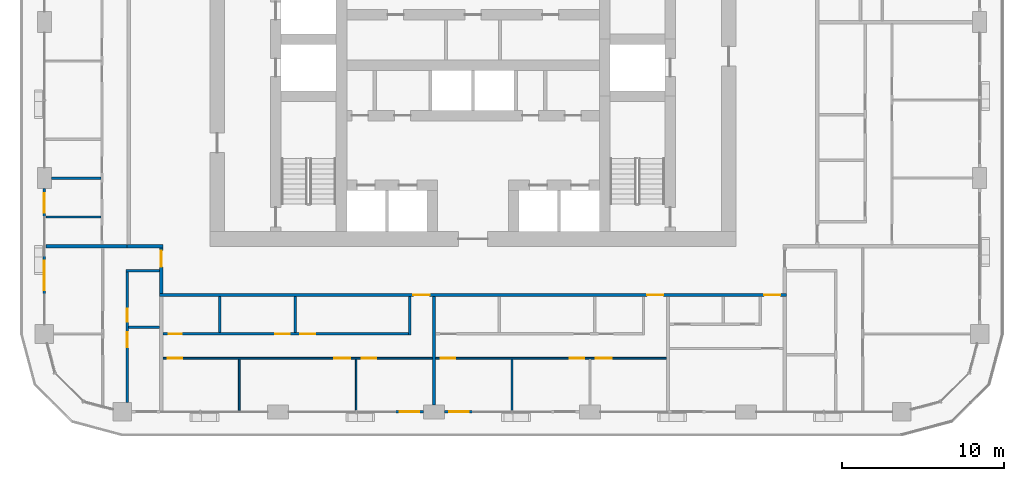
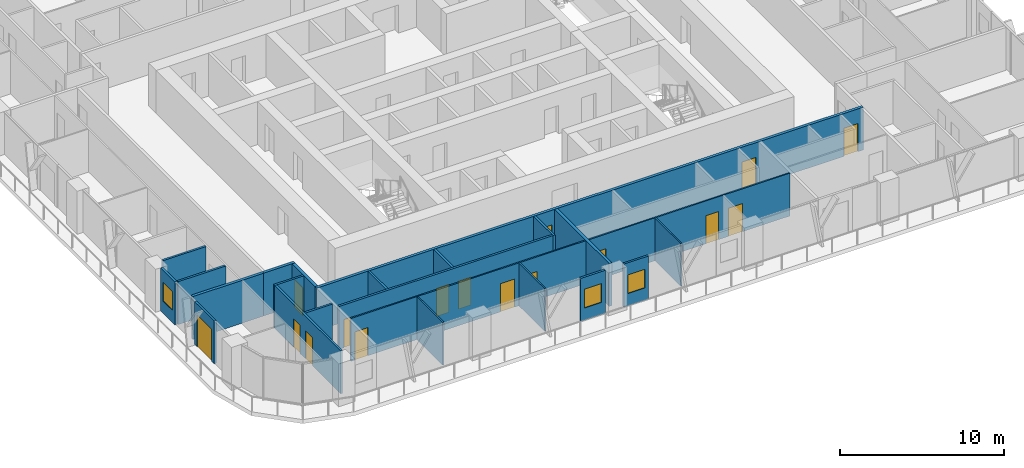
# One storey, part 9 of 21: 23 walls, 16 doors, 3 windows, 19 openings.
"""IFC4 building model written with IfcOpenShell, lengths in metres."""

from ifc_helpers import new_model, si_unit, direction, frame, frame_2d, origin, place, context, subcontext, project, spatial, rectangle, extrude, material, layer, layer_set, type_object, element, fill, save


model = new_model("IFC4")

# Units and contexts
model_context = context("Model", 3, precision=1e-05, world=origin(), true_north=direction((0.0, 1.0)))
body_context = subcontext(model_context, "Body", "Model", "MODEL_VIEW")
ifc_project = project(units=[si_unit("LENGTHUNIT", "METRE"), si_unit("AREAUNIT", "SQUARE_METRE"), si_unit("VOLUMEUNIT", "CUBIC_METRE"), si_unit("PLANEANGLEUNIT", "RADIAN"), si_unit("MASSUNIT", "GRAM", prefix="KILO")], contexts=[model_context])

# Site, building, storey
site_placement = place(None, origin())
site = spatial("IfcSite", under=ifc_project, at=site_placement, CompositionType="ELEMENT")
building_placement = place(site_placement, origin())
building = spatial("IfcBuilding", under=site, at=building_placement, Name="Madar Terraces", CompositionType="ELEMENT")
storey_placement = place(building_placement, frame((0.0, 0.0, 89.199951171875)))
storey = spatial("IfcBuildingStorey", under=building, at=storey_placement, Name="L22", CompositionType="ELEMENT", Elevation=89.199951171875)

# Wall, opening, window
ifc_material_1 = material(Name="Aluminium composite panel, black, over insulated backing", Category="aluminium")
ifc_layer_1 = layer(ifc_material_1, 0.14990234375)
ifc_layer_set_1 = layer_set([ifc_layer_1], Name="Facade bay panel 150")
wall_type_1 = type_object("IfcWallType", Name="Facade bay panel 150", PredefinedType="SOLIDWALL", material=ifc_layer_set_1)
wall_1_placement = place(storey_placement, frame((26.39990234375, 4.800048828125, 0.0), z_axis=(0.0, 0.0, 1.0), x_axis=(1.0, 0.0, 0.0)))
wall_1 = element("IfcWall", 1, at=wall_1_placement, inside=storey, type_object=wall_type_1, Name="Facade bay panel", PredefinedType="SOLIDWALL", context=body_context, shape_type="SweptSolid", body=[
    extrude(rectangle(XDim=1.75, YDim=0.14990234375, at=frame_2d((0.875, 0.0))), origin(), (0.0, 0.0, 1.0), 3.199951171875),
])
opening_1_placement = place(wall_1_placement, frame((0.27490234375, 0.0, 0.89990234375)))
opening_1 = element("IfcOpeningElement", 2, at=opening_1_placement, cuts=wall_1, Name="Opening W1", PredefinedType="OPENING", context=body_context, shape_type="SweptSolid", body=[
    extrude(rectangle(XDim=1.199951171875, YDim=1.39990234375, at=frame_2d((0.60009765625, 0.699951171875))), frame((0.0, 0.0849609375, 0.0), z_axis=(0.0, -1.0, 0.0), x_axis=(1.0, 0.0, 0.0)), (0.0, 0.0, 1.0), 0.169921875),
])
ifc_material_2 = material(Name="Glass, clear, with black aluminium frame", Category="aluminium")
window_type = type_object("IfcWindowType", Name="Vent window 1200 x 1400", PartitioningType="SINGLE_PANEL", PredefinedType="WINDOW", material=ifc_material_2)
window_1_placement = place(opening_1_placement, origin())
window_1 = element("IfcWindow", 3, at=window_1_placement, inside=storey, type_object=window_type, Name="Operable vent window", OverallHeight=1.39990234375, OverallWidth=1.199951171875, PartitioningType="SINGLE_PANEL", PredefinedType="WINDOW", context=body_context, shape_type="SweptSolid", body=[
    extrude(rectangle(XDim=1.199951171875, YDim=1.39990234375, at=frame_2d((0.60009765625, 0.699951171875))), frame((0.0, 0.030029296875, 0.0), z_axis=(0.0, -1.0, 0.0), x_axis=(1.0, 0.0, 0.0)), (0.0, 0.0, 1.0), 0.06005859375),
])
fill(opening_1, window_1)

wall_2_placement = place(storey_placement, frame((29.449951171875, 4.800048828125, 0.0), z_axis=(0.0, 0.0, 1.0), x_axis=(1.0, 0.0, 0.0)))
wall_2 = element("IfcWall", 4, at=wall_2_placement, inside=storey, type_object=wall_type_1, Name="Facade bay panel", PredefinedType="SOLIDWALL", context=body_context, shape_type="SweptSolid", body=[
    extrude(rectangle(XDim=1.75, YDim=0.14990234375, at=frame_2d((0.875, 0.0))), origin(), (0.0, 0.0, 1.0), 3.199951171875),
])
opening_2_placement = place(wall_2_placement, frame((0.27490234375, 0.0, 0.89990234375)))
opening_2 = element("IfcOpeningElement", 5, at=opening_2_placement, cuts=wall_2, Name="Opening W1", PredefinedType="OPENING", context=body_context, shape_type="SweptSolid", body=[
    extrude(rectangle(XDim=1.199951171875, YDim=1.39990234375, at=frame_2d((0.60009765625, 0.699951171875))), frame((0.0, 0.0849609375, 0.0), z_axis=(0.0, -1.0, 0.0), x_axis=(1.0, 0.0, 0.0)), (0.0, 0.0, 1.0), 0.169921875),
])
window_2_placement = place(opening_2_placement, origin())
window_2 = element("IfcWindow", 6, at=window_2_placement, inside=storey, type_object=window_type, Name="Operable vent window", OverallHeight=1.39990234375, OverallWidth=1.199951171875, PartitioningType="SINGLE_PANEL", PredefinedType="WINDOW", context=body_context, shape_type="SweptSolid", body=[
    extrude(rectangle(XDim=1.199951171875, YDim=1.39990234375, at=frame_2d((0.60009765625, 0.699951171875))), frame((0.0, 0.030029296875, 0.0), z_axis=(0.0, -1.0, 0.0), x_axis=(1.0, 0.0, 0.0)), (0.0, 0.0, 1.0), 0.06005859375),
])
fill(opening_2, window_2)

wall_3_placement = place(storey_placement, frame((4.800048828125, 18.550048828125, 0.0), z_axis=(0.0, 0.0, 1.0), x_axis=(0.0, -1.0, 0.0)))
wall_3 = element("IfcWall", 7, at=wall_3_placement, inside=storey, type_object=wall_type_1, Name="Facade bay panel", PredefinedType="SOLIDWALL", context=body_context, shape_type="SweptSolid", body=[
    extrude(rectangle(XDim=1.75, YDim=0.14990234375, at=frame_2d((0.875, 0.0))), origin(), (0.0, 0.0, 1.0), 3.199951171875),
])
opening_3_placement = place(wall_3_placement, frame((0.27490234375, 0.0, 0.89990234375)))
opening_3 = element("IfcOpeningElement", 8, at=opening_3_placement, cuts=wall_3, Name="Opening W1", PredefinedType="OPENING", context=body_context, shape_type="SweptSolid", body=[
    extrude(rectangle(XDim=1.199951171875, YDim=1.39990234375, at=frame_2d((0.60009765625, 0.699951171875))), frame((0.0, 0.0849609375, 0.0), z_axis=(0.0, -1.0, 0.0), x_axis=(1.0, 0.0, 0.0)), (0.0, 0.0, 1.0), 0.169921875),
])
window_3_placement = place(opening_3_placement, origin())
window_3 = element("IfcWindow", 9, at=window_3_placement, inside=storey, type_object=window_type, Name="Operable vent window", OverallHeight=1.39990234375, OverallWidth=1.199951171875, PartitioningType="SINGLE_PANEL", PredefinedType="WINDOW", context=body_context, shape_type="SweptSolid", body=[
    extrude(rectangle(XDim=1.199951171875, YDim=1.39990234375, at=frame_2d((0.60009765625, 0.699951171875))), frame((0.0, 0.030029296875, 0.0), z_axis=(0.0, -1.0, 0.0), x_axis=(1.0, 0.0, 0.0)), (0.0, 0.0, 1.0), 0.06005859375),
])
fill(opening_3, window_3)

# Wall, opening, door
wall_4_placement = place(storey_placement, frame((4.800048828125, 14.39990234375, 0.0), z_axis=(0.0, 0.0, 1.0), x_axis=(0.0, -1.0, 0.0)))
wall_4 = element("IfcWall", 10, at=wall_4_placement, inside=storey, type_object=wall_type_1, Name="Facade bay panel", PredefinedType="SOLIDWALL", context=body_context, shape_type="SweptSolid", body=[
    extrude(rectangle(XDim=2.39990234375, YDim=0.14990234375, at=frame_2d((1.199951171875, 0.0))), origin(), (0.0, 0.0, 1.0), 3.199951171875),
])
opening_4_placement = place(wall_4_placement, frame((0.300048828125, 0.0, 0.0)))
opening_4 = element("IfcOpeningElement", 11, at=opening_4_placement, cuts=wall_4, Name="Opening ED1", PredefinedType="OPENING", context=body_context, shape_type="SweptSolid", body=[
    extrude(rectangle(XDim=1.800048828125, YDim=2.39990234375, at=frame_2d((0.89990234375, 1.199951171875))), frame((0.0, 0.0849609375, 0.0), z_axis=(0.0, -1.0, 0.0), x_axis=(1.0, 0.0, 0.0)), (0.0, 0.0, 1.0), 0.169921875),
])
ifc_material_3 = material(Name="Glass, clear, with black aluminium frame", Category="aluminium")
door_type_1 = type_object("IfcDoorType", Name="Balcony and terrace sliding door 1800 x 2400", OperationType="SLIDING_TO_LEFT", PredefinedType="DOOR", material=ifc_material_3)
door_1_placement = place(opening_4_placement, origin())
door_1 = element("IfcDoor", 12, at=door_1_placement, inside=storey, type_object=door_type_1, Name="Balcony door", OperationType="SLIDING_TO_RIGHT", OverallHeight=2.39990234375, OverallWidth=1.800048828125, PredefinedType="DOOR", context=body_context, shape_type="SweptSolid", body=[
    extrude(rectangle(XDim=1.800048828125, YDim=2.39990234375, at=frame_2d((0.89990234375, 1.199951171875))), frame((0.0, 0.02490234375, 0.0), z_axis=(0.0, -1.0, 0.0), x_axis=(1.0, 0.0, 0.0)), (0.0, 0.0, 1.0), 0.050048828125),
])
fill(opening_4, door_1)

# Walls
ifc_material_4 = material(Name="Gypsum board on steel studs", Category="steel")
ifc_layer_2 = layer(ifc_material_4, 0.10009765625)
ifc_layer_set_2 = layer_set([ifc_layer_2], Name="Flat partition 100")
wall_type_2 = type_object("IfcWallType", Name="Flat partition 100", PredefinedType="PARTITIONING", material=ifc_layer_set_2)
for number, where, z_axis, x_axis, name in (
    (13, (24.0, 8.050048828125, 0.0), (0.0, 0.0, 1.0), (0.0, -1.0, 0.0), "Flat partition 100"),
    (14, (16.800048828125, 8.050048828125, 0.0), (0.0, 0.0, 1.0), (0.0, -1.0, 0.0), "Flat partition 100"),
):
    element("IfcWall", number, at=place(storey_placement, frame(where, z_axis=z_axis, x_axis=x_axis)), inside=storey, type_object=wall_type_2, Name=name, PredefinedType="PARTITIONING", context=body_context, shape_type="SweptSolid", body=[
        extrude(rectangle(XDim=3.150146484375, YDim=0.10009765625, at=frame_2d((1.5751953125, 0.0))), origin(), (0.0, 0.0, 1.0), 3.199951171875),
    ])

# Wall, openings, doors
wall_5_placement = place(storey_placement, frame((28.699951171875, 8.10009765625, 0.0), z_axis=(0.0, 0.0, 1.0), x_axis=(-1.0, 0.0, 0.0)))
wall_5 = element("IfcWall", 15, at=wall_5_placement, inside=storey, type_object=wall_type_2, Name="Flat partition 100", PredefinedType="PARTITIONING", context=body_context, shape_type="SweptSolid", body=[
    extrude(rectangle(XDim=16.599853515625, YDim=0.10009765625, at=frame_2d((8.2998046875, 0.0))), origin(), (0.0, 0.0, 1.0), 3.199951171875),
])
opening_5_placement = place(wall_5_placement, frame((3.449951171875, 0.0, 0.0)))
opening_5 = element("IfcOpeningElement", 16, at=opening_5_placement, cuts=wall_5, Name="Opening D2", PredefinedType="OPENING", context=body_context, shape_type="SweptSolid", body=[
    extrude(rectangle(XDim=0.89990234375, YDim=2.10009765625, at=frame_2d((0.449951171875, 1.050048828125))), frame((0.0, 0.06005859375, 0.0), z_axis=(0.0, -1.0, 0.0), x_axis=(1.0, 0.0, 0.0)), (0.0, 0.0, 1.0), 0.1201171875),
])
opening_6_placement = place(wall_5_placement, frame((5.050048828125, 0.0, 0.0)))
opening_6 = element("IfcOpeningElement", 17, at=opening_6_placement, cuts=wall_5, Name="Opening D3", PredefinedType="OPENING", context=body_context, shape_type="SweptSolid", body=[
    extrude(rectangle(XDim=1.0, YDim=2.10009765625, at=frame_2d((0.5, 1.050048828125))), frame((0.0, 0.06005859375, 0.0), z_axis=(0.0, -1.0, 0.0), x_axis=(1.0, 0.0, 0.0)), (0.0, 0.0, 1.0), 0.1201171875),
])
opening_7_placement = place(wall_5_placement, frame((15.39990234375, 0.0, 0.0)))
opening_7 = element("IfcOpeningElement", 18, at=opening_7_placement, cuts=wall_5, Name="Opening D2", PredefinedType="OPENING", context=body_context, shape_type="SweptSolid", body=[
    extrude(rectangle(XDim=0.89990234375, YDim=2.10009765625, at=frame_2d((0.449951171875, 1.050048828125))), frame((0.0, 0.06005859375, 0.0), z_axis=(0.0, -1.0, 0.0), x_axis=(1.0, 0.0, 0.0)), (0.0, 0.0, 1.0), 0.1201171875),
])
ifc_material_5 = material(Name="Timber door leaf", Category="wood")
door_type_2 = type_object("IfcDoorType", Name="Flat living room door 1000", OperationType="NOTDEFINED", PredefinedType="DOOR", material=ifc_material_5)
door_2_placement = place(opening_6_placement, origin())
door_2 = element("IfcDoor", 19, at=door_2_placement, inside=storey, type_object=door_type_2, Name="Flat living room door 1000", OperationType="SINGLE_SWING_LEFT", OverallHeight=2.10009765625, OverallWidth=1.0, PredefinedType="DOOR", context=body_context, shape_type="SweptSolid", body=[
    extrude(rectangle(XDim=1.0, YDim=2.10009765625, at=frame_2d((0.5, 1.050048828125))), frame((0.0, 0.02490234375, 0.0), z_axis=(0.0, -1.0, 0.0), x_axis=(1.0, 0.0, 0.0)), (0.0, 0.0, 1.0), 0.050048828125),
])
fill(opening_6, door_2)
ifc_material_6 = material(Name="Timber door leaf", Category="wood")
door_type_3 = type_object("IfcDoorType", Name="Flat room door 900", OperationType="NOTDEFINED", PredefinedType="DOOR", material=ifc_material_6)
door_3_placement = place(opening_5_placement, origin())
door_3 = element("IfcDoor", 20, at=door_3_placement, inside=storey, type_object=door_type_3, Name="Flat room door 900", OperationType="SINGLE_SWING_RIGHT", OverallHeight=2.10009765625, OverallWidth=0.89990234375, PredefinedType="DOOR", context=body_context, shape_type="SweptSolid", body=[
    extrude(rectangle(XDim=0.89990234375, YDim=2.10009765625, at=frame_2d((0.449951171875, 1.050048828125))), frame((0.0, 0.02490234375, 0.0), z_axis=(0.0, -1.0, 0.0), x_axis=(1.0, 0.0, 0.0)), (0.0, 0.0, 1.0), 0.050048828125),
])
fill(opening_5, door_3)
door_4_placement = place(opening_7_placement, origin())
door_4 = element("IfcDoor", 21, at=door_4_placement, inside=storey, type_object=door_type_3, Name="Flat room door 900", OperationType="SINGLE_SWING_RIGHT", OverallHeight=2.10009765625, OverallWidth=0.89990234375, PredefinedType="DOOR", context=body_context, shape_type="SweptSolid", body=[
    extrude(rectangle(XDim=0.89990234375, YDim=2.10009765625, at=frame_2d((0.449951171875, 1.050048828125))), frame((0.0, 0.02490234375, 0.0), z_axis=(0.0, -1.0, 0.0), x_axis=(1.0, 0.0, 0.0)), (0.0, 0.0, 1.0), 0.050048828125),
])
fill(opening_7, door_4)

# Wall
wall_6_placement = place(storey_placement, frame((33.60009765625, 8.050048828125, 0.0), z_axis=(0.0, 0.0, 1.0), x_axis=(0.0, -1.0, 0.0)))
element("IfcWall", 22, at=wall_6_placement, inside=storey, type_object=wall_type_2, Name="Flat partition 100", PredefinedType="PARTITIONING", context=body_context, shape_type="SweptSolid", body=[
    extrude(rectangle(XDim=3.150146484375, YDim=0.10009765625, at=frame_2d((1.5751953125, 0.0))), origin(), (0.0, 0.0, 1.0), 3.199951171875),
])

# Wall, openings, doors
wall_7_placement = place(storey_placement, frame((43.10009765625, 8.10009765625, 0.0), z_axis=(0.0, 0.0, 1.0), x_axis=(-1.0, 0.0, 0.0)))
wall_7 = element("IfcWall", 23, at=wall_7_placement, inside=storey, type_object=wall_type_2, Name="Flat partition 100", PredefinedType="PARTITIONING", context=body_context, shape_type="SweptSolid", body=[
    extrude(rectangle(XDim=14.2001953125, YDim=0.10009765625, at=frame_2d((7.10009765625, 0.0))), origin(), (0.0, 0.0, 1.0), 3.199951171875),
])
opening_8_placement = place(wall_7_placement, frame((3.35009765625, 0.0, 0.0)))
opening_8 = element("IfcOpeningElement", 24, at=opening_8_placement, cuts=wall_7, Name="Opening D3", PredefinedType="OPENING", context=body_context, shape_type="SweptSolid", body=[
    extrude(rectangle(XDim=1.0, YDim=2.10009765625, at=frame_2d((0.5, 1.050048828125))), frame((0.0, 0.06005859375, 0.0), z_axis=(0.0, -1.0, 0.0), x_axis=(1.0, 0.0, 0.0)), (0.0, 0.0, 1.0), 0.1201171875),
])
opening_9_placement = place(wall_7_placement, frame((5.050048828125, 0.0, 0.0)))
opening_9 = element("IfcOpeningElement", 25, at=opening_9_placement, cuts=wall_7, Name="Opening D2", PredefinedType="OPENING", context=body_context, shape_type="SweptSolid", body=[
    extrude(rectangle(XDim=0.89990234375, YDim=2.10009765625, at=frame_2d((0.449951171875, 1.050048828125))), frame((0.0, 0.06005859375, 0.0), z_axis=(0.0, -1.0, 0.0), x_axis=(1.0, 0.0, 0.0)), (0.0, 0.0, 1.0), 0.1201171875),
])
opening_10_placement = place(wall_7_placement, frame((13.0, 0.0, 0.0)))
opening_10 = element("IfcOpeningElement", 26, at=opening_10_placement, cuts=wall_7, Name="Opening D2", PredefinedType="OPENING", context=body_context, shape_type="SweptSolid", body=[
    extrude(rectangle(XDim=0.89990234375, YDim=2.10009765625, at=frame_2d((0.449951171875, 1.050048828125))), frame((0.0, 0.06005859375, 0.0), z_axis=(0.0, -1.0, 0.0), x_axis=(1.0, 0.0, 0.0)), (0.0, 0.0, 1.0), 0.1201171875),
])
door_5_placement = place(opening_8_placement, origin())
door_5 = element("IfcDoor", 27, at=door_5_placement, inside=storey, type_object=door_type_2, Name="Flat living room door 1000", OperationType="SINGLE_SWING_RIGHT", OverallHeight=2.10009765625, OverallWidth=1.0, PredefinedType="DOOR", context=body_context, shape_type="SweptSolid", body=[
    extrude(rectangle(XDim=1.0, YDim=2.10009765625, at=frame_2d((0.5, 1.050048828125))), frame((0.0, 0.02490234375, 0.0), z_axis=(0.0, -1.0, 0.0), x_axis=(1.0, 0.0, 0.0)), (0.0, 0.0, 1.0), 0.050048828125),
])
fill(opening_8, door_5)
door_6_placement = place(opening_9_placement, origin())
door_6 = element("IfcDoor", 28, at=door_6_placement, inside=storey, type_object=door_type_3, Name="Flat room door 900", OperationType="SINGLE_SWING_LEFT", OverallHeight=2.10009765625, OverallWidth=0.89990234375, PredefinedType="DOOR", context=body_context, shape_type="SweptSolid", body=[
    extrude(rectangle(XDim=0.89990234375, YDim=2.10009765625, at=frame_2d((0.449951171875, 1.050048828125))), frame((0.0, 0.02490234375, 0.0), z_axis=(0.0, -1.0, 0.0), x_axis=(1.0, 0.0, 0.0)), (0.0, 0.0, 1.0), 0.050048828125),
])
fill(opening_9, door_6)
door_7_placement = place(opening_10_placement, origin())
door_7 = element("IfcDoor", 29, at=door_7_placement, inside=storey, type_object=door_type_3, Name="Flat room door 900", OperationType="SINGLE_SWING_RIGHT", OverallHeight=2.10009765625, OverallWidth=0.89990234375, PredefinedType="DOOR", context=body_context, shape_type="SweptSolid", body=[
    extrude(rectangle(XDim=0.89990234375, YDim=2.10009765625, at=frame_2d((0.449951171875, 1.050048828125))), frame((0.0, 0.02490234375, 0.0), z_axis=(0.0, -1.0, 0.0), x_axis=(1.0, 0.0, 0.0)), (0.0, 0.0, 1.0), 0.050048828125),
])
fill(opening_10, door_7)

ifc_material_7 = material(Name="Lightweight blockwork", Category="masonry")
ifc_layer_3 = layer(ifc_material_7, 0.199951171875)
ifc_layer_set_3 = layer_set([ifc_layer_3], Name="Flat party and entrance wall 200")
wall_type_3 = type_object("IfcWallType", Name="Flat party and entrance wall 200", PredefinedType="PARTITIONING", material=ifc_layer_set_3)
wall_8_placement = place(storey_placement, frame((50.5, 12.0, 0.0), z_axis=(0.0, 0.0, 1.0), x_axis=(-1.0, 0.0, 0.0)))
wall_8 = element("IfcWall", 30, at=wall_8_placement, inside=storey, type_object=wall_type_3, Name="Flat party and entrance wall 200", PredefinedType="PARTITIONING", context=body_context, shape_type="SweptSolid", body=[
    extrude(rectangle(XDim=38.60009765625, YDim=0.199951171875, at=frame_2d((19.300048828125, 0.0))), origin(), (0.0, 0.0, 1.0), 3.199951171875),
])
opening_11_placement = place(wall_8_placement, frame((21.97509765625, 0.0, 0.0)))
opening_11 = element("IfcOpeningElement", 31, at=opening_11_placement, cuts=wall_8, Name="Opening D1", PredefinedType="OPENING", context=body_context, shape_type="SweptSolid", body=[
    extrude(rectangle(XDim=1.0, YDim=2.10009765625, at=frame_2d((0.5, 1.050048828125))), frame((0.0, 0.10986328125, 0.0), z_axis=(0.0, -1.0, 0.0), x_axis=(1.0, 0.0, 0.0)), (0.0, 0.0, 1.0), 0.219970703125),
])
opening_12_placement = place(wall_8_placement, frame((7.574951171875, 0.0, 0.0)))
opening_12 = element("IfcOpeningElement", 32, at=opening_12_placement, cuts=wall_8, Name="Opening D1", PredefinedType="OPENING", context=body_context, shape_type="SweptSolid", body=[
    extrude(rectangle(XDim=1.0, YDim=2.10009765625, at=frame_2d((0.5, 1.050048828125))), frame((0.0, 0.10986328125, 0.0), z_axis=(0.0, -1.0, 0.0), x_axis=(1.0, 0.0, 0.0)), (0.0, 0.0, 1.0), 0.219970703125),
])
opening_13_placement = place(wall_8_placement, frame((0.375, 0.0, 0.0)))
opening_13 = element("IfcOpeningElement", 33, at=opening_13_placement, cuts=wall_8, Name="Opening D1", PredefinedType="OPENING", context=body_context, shape_type="SweptSolid", body=[
    extrude(rectangle(XDim=1.0, YDim=2.10009765625, at=frame_2d((0.5, 1.050048828125))), frame((0.0, 0.10986328125, 0.0), z_axis=(0.0, -1.0, 0.0), x_axis=(1.0, 0.0, 0.0)), (0.0, 0.0, 1.0), 0.219970703125),
])
ifc_material_8 = material(Name="Timber fire door leaf", Category="wood")
door_type_4 = type_object("IfcDoorType", Name="Flat entrance door 1000 FD30S", OperationType="NOTDEFINED", PredefinedType="DOOR", material=ifc_material_8)
door_8_placement = place(opening_11_placement, origin())
door_8 = element("IfcDoor", 34, at=door_8_placement, inside=storey, type_object=door_type_4, Name="Flat entrance door 1000 FD30S", OperationType="SINGLE_SWING_LEFT", OverallHeight=2.10009765625, OverallWidth=1.0, PredefinedType="DOOR", context=body_context, shape_type="SweptSolid", body=[
    extrude(rectangle(XDim=1.0, YDim=2.10009765625, at=frame_2d((0.5, 1.050048828125))), frame((0.0, 0.02490234375, 0.0), z_axis=(0.0, -1.0, 0.0), x_axis=(1.0, 0.0, 0.0)), (0.0, 0.0, 1.0), 0.050048828125),
])
fill(opening_11, door_8)
door_9_placement = place(opening_12_placement, origin())
door_9 = element("IfcDoor", 35, at=door_9_placement, inside=storey, type_object=door_type_4, Name="Flat entrance door 1000 FD30S", OperationType="SINGLE_SWING_LEFT", OverallHeight=2.10009765625, OverallWidth=1.0, PredefinedType="DOOR", context=body_context, shape_type="SweptSolid", body=[
    extrude(rectangle(XDim=1.0, YDim=2.10009765625, at=frame_2d((0.5, 1.050048828125))), frame((0.0, 0.02490234375, 0.0), z_axis=(0.0, -1.0, 0.0), x_axis=(1.0, 0.0, 0.0)), (0.0, 0.0, 1.0), 0.050048828125),
])
fill(opening_12, door_9)
door_10_placement = place(opening_13_placement, origin())
door_10 = element("IfcDoor", 36, at=door_10_placement, inside=storey, type_object=door_type_4, Name="Flat entrance door 1000 FD30S", OperationType="SINGLE_SWING_LEFT", OverallHeight=2.10009765625, OverallWidth=1.0, PredefinedType="DOOR", context=body_context, shape_type="SweptSolid", body=[
    extrude(rectangle(XDim=1.0, YDim=2.10009765625, at=frame_2d((0.5, 1.050048828125))), frame((0.0, 0.02490234375, 0.0), z_axis=(0.0, -1.0, 0.0), x_axis=(1.0, 0.0, 0.0)), (0.0, 0.0, 1.0), 0.050048828125),
])
fill(opening_13, door_10)

# Wall
wall_9_placement = place(storey_placement, frame((9.89990234375, 15.0, 0.0), z_axis=(0.0, 0.0, 1.0), x_axis=(1.0, 0.0, 0.0)))
element("IfcWall", 37, at=wall_9_placement, inside=storey, type_object=wall_type_3, Name="Flat party and entrance wall 200", PredefinedType="PARTITIONING", context=body_context, shape_type="SweptSolid", body=[
    extrude(rectangle(XDim=2.2001953125, YDim=0.199951171875, at=frame_2d((1.10009765625, 0.0))), origin(), (0.0, 0.0, 1.0), 3.199951171875),
])

# Wall, opening, door
wall_10_placement = place(storey_placement, frame((12.0, 12.10009765625, 0.0), z_axis=(0.0, 0.0, 1.0), x_axis=(0.0, 1.0, 0.0)))
wall_10 = element("IfcWall", 38, at=wall_10_placement, inside=storey, type_object=wall_type_3, Name="Flat party and entrance wall 200", PredefinedType="PARTITIONING", context=body_context, shape_type="SweptSolid", body=[
    extrude(rectangle(XDim=2.7998046875, YDim=0.199951171875, at=frame_2d((1.39990234375, 0.0))), origin(), (0.0, 0.0, 1.0), 3.199951171875),
])
opening_14_placement = place(wall_10_placement, frame((1.625, 0.0, 0.0)))
opening_14 = element("IfcOpeningElement", 39, at=opening_14_placement, cuts=wall_10, Name="Opening D1", PredefinedType="OPENING", context=body_context, shape_type="SweptSolid", body=[
    extrude(rectangle(XDim=1.0, YDim=2.10009765625, at=frame_2d((0.5, 1.050048828125))), frame((0.0, 0.10986328125, 0.0), z_axis=(0.0, -1.0, 0.0), x_axis=(1.0, 0.0, 0.0)), (0.0, 0.0, 1.0), 0.219970703125),
])
door_11_placement = place(opening_14_placement, origin())
door_11 = element("IfcDoor", 40, at=door_11_placement, inside=storey, type_object=door_type_4, Name="Flat entrance door 1000 FD30S", OperationType="SINGLE_SWING_RIGHT", OverallHeight=2.10009765625, OverallWidth=1.0, PredefinedType="DOOR", context=body_context, shape_type="SweptSolid", body=[
    extrude(rectangle(XDim=1.0, YDim=2.10009765625, at=frame_2d((0.5, 1.050048828125))), frame((0.0, 0.02490234375, 0.0), z_axis=(0.0, -1.0, 0.0), x_axis=(1.0, 0.0, 0.0)), (0.0, 0.0, 1.0), 0.050048828125),
])
fill(opening_14, door_11)

# Walls
wall_11_placement = place(storey_placement, frame((28.800048828125, 11.89990234375, 0.0), z_axis=(0.0, 0.0, 1.0), x_axis=(0.0, -1.0, 0.0)))
element("IfcWall", 41, at=wall_11_placement, inside=storey, type_object=wall_type_3, Name="Flat party and entrance wall 200", PredefinedType="PARTITIONING", context=body_context, shape_type="SweptSolid", body=[
    extrude(rectangle(XDim=6.6748046875, YDim=0.199951171875, at=frame_2d((3.33740234375, 0.0))), origin(), (0.0, 0.0, 1.0), 3.199951171875),
])
wall_12_placement = place(storey_placement, frame((4.89990234375, 15.0, 0.0), z_axis=(0.0, 0.0, 1.0), x_axis=(1.0, 0.0, 0.0)))
element("IfcWall", 42, at=wall_12_placement, inside=storey, type_object=wall_type_3, Name="Flat party and entrance wall 200", PredefinedType="PARTITIONING", context=body_context, shape_type="SweptSolid", body=[
    extrude(rectangle(XDim=5.0, YDim=0.199951171875, at=frame_2d((2.5, 0.0))), origin(), (0.0, 0.0, 1.0), 3.199951171875),
])
ifc_material_9 = material(Name="Lightweight blockwork", Category="masonry")
ifc_layer_4 = layer(ifc_material_9, 0.14990234375)
ifc_layer_set_4 = layer_set([ifc_layer_4], Name="Flat wet-room partition 150")
wall_type_4 = type_object("IfcWallType", Name="Flat wet-room partition 150", PredefinedType="PARTITIONING", material=ifc_layer_set_4)
for number, where, z_axis, x_axis, name in (
    (43, (20.244140625, 11.89990234375, 0.0), (0.0, 0.0, 1.0), (0.0, -1.0, 0.0), "Flat wet-room partition 150"),
    (44, (15.59033203125, 11.89990234375, 0.0), (0.0, 0.0, 1.0), (0.0, -1.0, 0.0), "Flat wet-room partition 150"),
):
    element("IfcWall", number, at=place(storey_placement, frame(where, z_axis=z_axis, x_axis=x_axis)), inside=storey, type_object=wall_type_4, Name=name, PredefinedType="PARTITIONING", context=body_context, shape_type="SweptSolid", body=[
        extrude(rectangle(XDim=2.224853515625, YDim=0.14990234375, at=frame_2d((1.1123046875, 0.0))), origin(), (0.0, 0.0, 1.0), 3.199951171875),
    ])
wall_13_placement = place(storey_placement, frame((27.300048828125, 11.89990234375, 0.0), z_axis=(0.0, 0.0, 1.0), x_axis=(0.0, -1.0, 0.0)))
element("IfcWall", 45, at=wall_13_placement, inside=storey, type_object=wall_type_4, Name="Flat wet-room partition 150", PredefinedType="PARTITIONING", context=body_context, shape_type="SweptSolid", body=[
    extrude(rectangle(XDim=2.375, YDim=0.14990234375, at=frame_2d((1.1875, 0.0))), origin(), (0.0, 0.0, 1.0), 3.199951171875),
])

# Wall, openings, doors
wall_14_placement = place(storey_placement, frame((12.10009765625, 9.60009765625, 0.0), z_axis=(0.0, 0.0, 1.0), x_axis=(1.0, 0.0, 0.0)))
wall_14 = element("IfcWall", 46, at=wall_14_placement, inside=storey, type_object=wall_type_4, Name="Flat wet-room partition 150", PredefinedType="PARTITIONING", context=body_context, shape_type="SweptSolid", body=[
    extrude(rectangle(XDim=15.125, YDim=0.14990234375, at=frame_2d((7.5625, 0.0))), origin(), (0.0, 0.0, 1.0), 3.199951171875),
])
opening_15_placement = place(wall_14_placement, frame((8.46923828125, 0.0, 0.0)))
opening_15 = element("IfcOpeningElement", 47, at=opening_15_placement, cuts=wall_14, Name="Opening D2", PredefinedType="OPENING", context=body_context, shape_type="SweptSolid", body=[
    extrude(rectangle(XDim=0.89990234375, YDim=2.10009765625, at=frame_2d((0.449951171875, 1.050048828125))), frame((0.0, 0.0849609375, 0.0), z_axis=(0.0, -1.0, 0.0), x_axis=(1.0, 0.0, 0.0)), (0.0, 0.0, 1.0), 0.169921875),
])
opening_16_placement = place(wall_14_placement, frame((6.919189453125, 0.0, 0.0)))
opening_16 = element("IfcOpeningElement", 48, at=opening_16_placement, cuts=wall_14, Name="Opening D5", PredefinedType="OPENING", context=body_context, shape_type="SweptSolid", body=[
    extrude(rectangle(XDim=0.89990234375, YDim=2.10009765625, at=frame_2d((0.449951171875, 1.050048828125))), frame((0.0, 0.0849609375, 0.0), z_axis=(0.0, -1.0, 0.0), x_axis=(1.0, 0.0, 0.0)), (0.0, 0.0, 1.0), 0.169921875),
])
opening_17_placement = place(wall_14_placement, frame((0.35009765625, 0.0, 0.0)))
opening_17 = element("IfcOpeningElement", 49, at=opening_17_placement, cuts=wall_14, Name="Opening D4", PredefinedType="OPENING", context=body_context, shape_type="SweptSolid", body=[
    extrude(rectangle(XDim=0.800048828125, YDim=2.10009765625, at=frame_2d((0.39990234375, 1.050048828125))), frame((0.0, 0.0849609375, 0.0), z_axis=(0.0, -1.0, 0.0), x_axis=(1.0, 0.0, 0.0)), (0.0, 0.0, 1.0), 0.169921875),
])
ifc_material_10 = material(Name="Timber door leaf", Category="wood")
door_type_5 = type_object("IfcDoorType", Name="Flat accessible bathroom door 900", OperationType="NOTDEFINED", PredefinedType="DOOR", material=ifc_material_10)
door_12_placement = place(opening_16_placement, origin())
door_12 = element("IfcDoor", 50, at=door_12_placement, inside=storey, type_object=door_type_5, Name="Flat accessible bathroom door 900", OperationType="SINGLE_SWING_RIGHT", OverallHeight=2.10009765625, OverallWidth=0.89990234375, PredefinedType="DOOR", context=body_context, shape_type="SweptSolid", body=[
    extrude(rectangle(XDim=0.89990234375, YDim=2.10009765625, at=frame_2d((0.449951171875, 1.050048828125))), frame((0.0, 0.02490234375, 0.0), z_axis=(0.0, -1.0, 0.0), x_axis=(1.0, 0.0, 0.0)), (0.0, 0.0, 1.0), 0.050048828125),
])
fill(opening_16, door_12)
ifc_material_11 = material(Name="Timber door leaf", Category="wood")
door_type_6 = type_object("IfcDoorType", Name="Flat bathroom door 800", OperationType="NOTDEFINED", PredefinedType="DOOR", material=ifc_material_11)
door_13_placement = place(opening_17_placement, origin())
door_13 = element("IfcDoor", 51, at=door_13_placement, inside=storey, type_object=door_type_6, Name="Flat bathroom door 800", OperationType="SINGLE_SWING_LEFT", OverallHeight=2.10009765625, OverallWidth=0.800048828125, PredefinedType="DOOR", context=body_context, shape_type="SweptSolid", body=[
    extrude(rectangle(XDim=0.800048828125, YDim=2.10009765625, at=frame_2d((0.39990234375, 1.050048828125))), frame((0.0, 0.02490234375, 0.0), z_axis=(0.0, -1.0, 0.0), x_axis=(1.0, 0.0, 0.0)), (0.0, 0.0, 1.0), 0.050048828125),
])
fill(opening_17, door_13)
door_14_placement = place(opening_15_placement, origin())
door_14 = element("IfcDoor", 52, at=door_14_placement, inside=storey, type_object=door_type_3, Name="Flat room door 900", OperationType="SINGLE_SWING_LEFT", OverallHeight=2.10009765625, OverallWidth=0.89990234375, PredefinedType="DOOR", context=body_context, shape_type="SweptSolid", body=[
    extrude(rectangle(XDim=0.89990234375, YDim=2.10009765625, at=frame_2d((0.449951171875, 1.050048828125))), frame((0.0, 0.02490234375, 0.0), z_axis=(0.0, -1.0, 0.0), x_axis=(1.0, 0.0, 0.0)), (0.0, 0.0, 1.0), 0.050048828125),
])
fill(opening_15, door_14)

# Walls
wall_15_placement = place(storey_placement, frame((8.27490234375, 19.199951171875, 0.0), z_axis=(0.0, 0.0, 1.0), x_axis=(-1.0, 0.0, 0.0)))
element("IfcWall", 53, at=wall_15_placement, inside=storey, type_object=wall_type_4, Name="Flat wet-room partition 150", PredefinedType="PARTITIONING", context=body_context, shape_type="SweptSolid", body=[
    extrude(rectangle(XDim=3.0498046875, YDim=0.14990234375, at=frame_2d((1.52490234375, 0.0))), origin(), (0.0, 0.0, 1.0), 3.199951171875),
])
wall_16_placement = place(storey_placement, frame((8.27490234375, 16.800048828125, 0.0), z_axis=(0.0, 0.0, 1.0), x_axis=(-1.0, 0.0, 0.0)))
element("IfcWall", 54, at=wall_16_placement, inside=storey, type_object=wall_type_4, Name="Flat wet-room partition 150", PredefinedType="PARTITIONING", context=body_context, shape_type="SweptSolid", body=[
    extrude(rectangle(XDim=3.375, YDim=0.14990234375, at=frame_2d((1.6875, 0.0))), origin(), (0.0, 0.0, 1.0), 3.199951171875),
])
wall_17_placement = place(storey_placement, frame((11.89990234375, 10.014892578125, 0.0), z_axis=(0.0, 0.0, 1.0), x_axis=(-1.0, 0.0, 0.0)))
element("IfcWall", 55, at=wall_17_placement, inside=storey, type_object=wall_type_4, Name="Flat wet-room partition 150", PredefinedType="PARTITIONING", context=body_context, shape_type="SweptSolid", body=[
    extrude(rectangle(XDim=1.9248046875, YDim=0.14990234375, at=frame_2d((0.96240234375, 0.0))), origin(), (0.0, 0.0, 1.0), 3.199951171875),
])
wall_18_placement = place(storey_placement, frame((11.89990234375, 13.5, 0.0), z_axis=(0.0, 0.0, 1.0), x_axis=(-1.0, 0.0, 0.0)))
element("IfcWall", 56, at=wall_18_placement, inside=storey, type_object=wall_type_4, Name="Flat wet-room partition 150", PredefinedType="PARTITIONING", context=body_context, shape_type="SweptSolid", body=[
    extrude(rectangle(XDim=2.074951171875, YDim=0.14990234375, at=frame_2d((1.03759765625, 0.0))), origin(), (0.0, 0.0, 1.0), 3.199951171875),
])

# Wall, openings, doors
wall_19_placement = place(storey_placement, frame((9.89990234375, 13.425048828125, 0.0), z_axis=(0.0, 0.0, 1.0), x_axis=(0.0, -1.0, 0.0)))
wall_19 = element("IfcWall", 57, at=wall_19_placement, inside=storey, type_object=wall_type_4, Name="Flat wet-room partition 150", PredefinedType="PARTITIONING", context=body_context, shape_type="SweptSolid", body=[
    extrude(rectangle(XDim=8.050048828125, YDim=0.14990234375, at=frame_2d((4.02490234375, 0.0))), origin(), (0.0, 0.0, 1.0), 3.199951171875),
])
opening_18_placement = place(wall_19_placement, frame((2.284912109375, 0.0, 0.0)))
opening_18 = element("IfcOpeningElement", 58, at=opening_18_placement, cuts=wall_19, Name="Opening D4", PredefinedType="OPENING", context=body_context, shape_type="SweptSolid", body=[
    extrude(rectangle(XDim=0.800048828125, YDim=2.10009765625, at=frame_2d((0.39990234375, 1.050048828125))), frame((0.0, 0.0849609375, 0.0), z_axis=(0.0, -1.0, 0.0), x_axis=(1.0, 0.0, 0.0)), (0.0, 0.0, 1.0), 0.169921875),
])
opening_19_placement = place(wall_19_placement, frame((3.735107421875, 0.0, 0.0)))
opening_19 = element("IfcOpeningElement", 59, at=opening_19_placement, cuts=wall_19, Name="Opening D2", PredefinedType="OPENING", context=body_context, shape_type="SweptSolid", body=[
    extrude(rectangle(XDim=0.89990234375, YDim=2.10009765625, at=frame_2d((0.449951171875, 1.050048828125))), frame((0.0, 0.0849609375, 0.0), z_axis=(0.0, -1.0, 0.0), x_axis=(1.0, 0.0, 0.0)), (0.0, 0.0, 1.0), 0.169921875),
])
door_15_placement = place(opening_18_placement, origin())
door_15 = element("IfcDoor", 60, at=door_15_placement, inside=storey, type_object=door_type_6, Name="Flat bathroom door 800", OperationType="SINGLE_SWING_RIGHT", OverallHeight=2.10009765625, OverallWidth=0.800048828125, PredefinedType="DOOR", context=body_context, shape_type="SweptSolid", body=[
    extrude(rectangle(XDim=0.800048828125, YDim=2.10009765625, at=frame_2d((0.39990234375, 1.050048828125))), frame((0.0, 0.02490234375, 0.0), z_axis=(0.0, -1.0, 0.0), x_axis=(1.0, 0.0, 0.0)), (0.0, 0.0, 1.0), 0.050048828125),
])
fill(opening_18, door_15)
door_16_placement = place(opening_19_placement, origin())
door_16 = element("IfcDoor", 61, at=door_16_placement, inside=storey, type_object=door_type_3, Name="Flat room door 900", OperationType="SINGLE_SWING_LEFT", OverallHeight=2.10009765625, OverallWidth=0.89990234375, PredefinedType="DOOR", context=body_context, shape_type="SweptSolid", body=[
    extrude(rectangle(XDim=0.89990234375, YDim=2.10009765625, at=frame_2d((0.449951171875, 1.050048828125))), frame((0.0, 0.02490234375, 0.0), z_axis=(0.0, -1.0, 0.0), x_axis=(1.0, 0.0, 0.0)), (0.0, 0.0, 1.0), 0.050048828125),
])
fill(opening_19, door_16)

save(model, "model.ifc")
